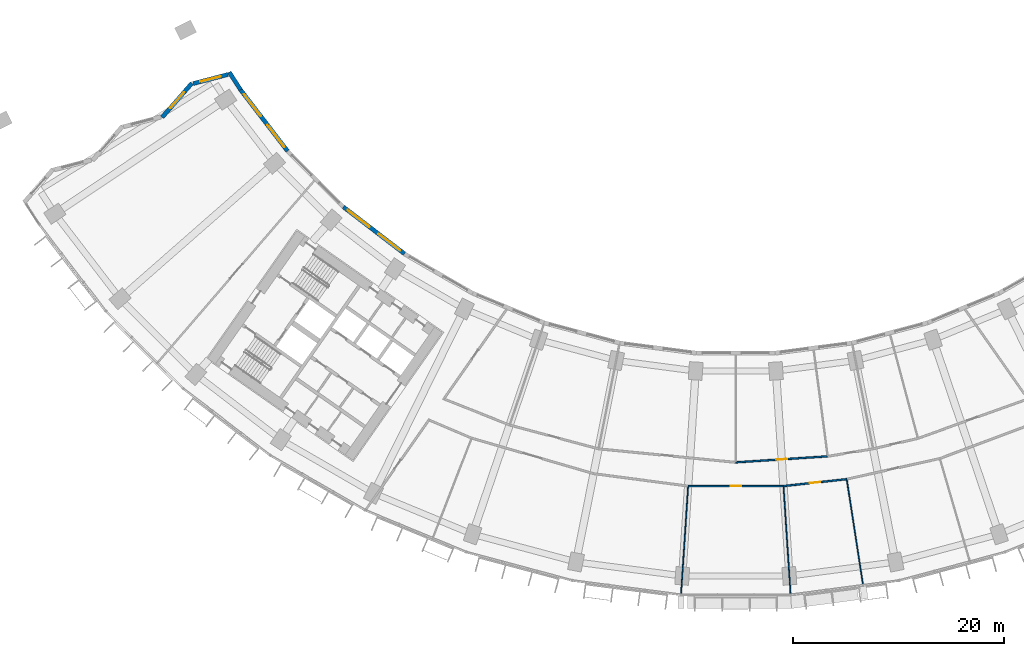
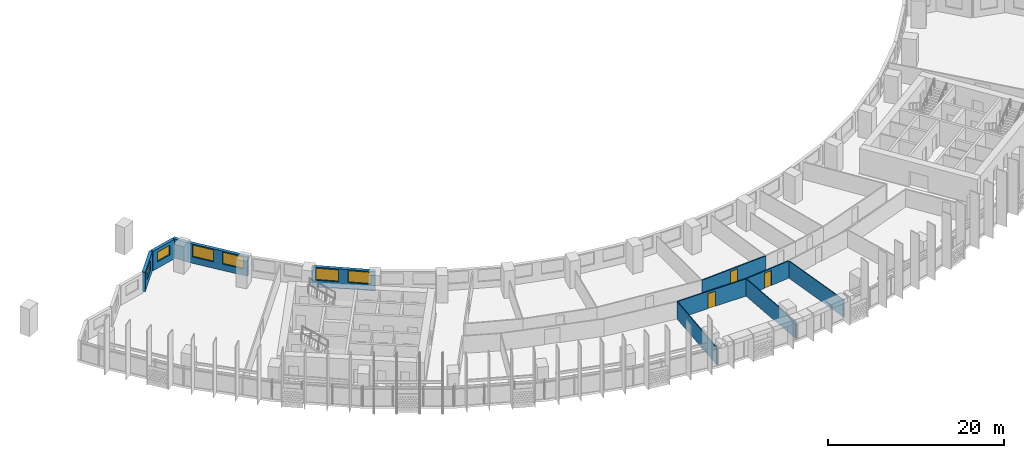
# One storey, part 5 of 32: 11 walls, 6 windows, 3 doors, 9 openings.
"""IFC4 building model written with IfcOpenShell, lengths in metres."""

from ifc_helpers import new_model, si_unit, direction, frame, frame_2d, origin, place, context, subcontext, project, spatial, rectangle, extrude, material, layer, layer_set, type_object, element, fill, save


model = new_model("IFC4")

# Units and contexts
model_context = context("Model", 3, precision=1e-05, world=origin(), true_north=direction((0.0, 1.0)))
body_context = subcontext(model_context, "Body", "Model", "MODEL_VIEW")
ifc_project = project(units=[si_unit("LENGTHUNIT", "METRE"), si_unit("AREAUNIT", "SQUARE_METRE"), si_unit("VOLUMEUNIT", "CUBIC_METRE"), si_unit("PLANEANGLEUNIT", "RADIAN"), si_unit("MASSUNIT", "GRAM", prefix="KILO")], contexts=[model_context])

# Site, building, storey
site_placement = place(None, origin())
site = spatial("IfcSite", under=ifc_project, at=site_placement, CompositionType="ELEMENT")
building_placement = place(site_placement, origin())
building = spatial("IfcBuilding", under=site, at=building_placement, Name="Qamariyya Broadcast Tower", CompositionType="ELEMENT")
storey_placement = place(building_placement, frame((0.0, 0.0, 63.300048828125)))
storey = spatial("IfcBuildingStorey", under=building, at=storey_placement, Name="L12", CompositionType="ELEMENT", Elevation=63.300048828125)

# Wall, opening, door
ifc_material_1 = material(Name="Gypsum board partition")
ifc_layer_1 = layer(ifc_material_1, 0.14990234375)
ifc_layer_set_1 = layer_set([ifc_layer_1], Name="Corridor partition 150 EI 60")
wall_type_1 = type_object("IfcWallType", Name="Corridor partition 150 EI 60", PredefinedType="PARTITIONING", material=ifc_layer_set_1)
wall_1_placement = place(storey_placement, frame((4.52587890625, -69.0517578125, 0.0), z_axis=(0.0, 0.0, 1.0), x_axis=(-1.0, 0.0, 0.0)))
wall_1 = element("IfcWall", 1, at=wall_1_placement, inside=storey, type_object=wall_type_1, Name="Partition L12-014", PredefinedType="PARTITIONING", context=body_context, shape_type="SweptSolid", body=[
    extrude(rectangle(XDim=9.0517578125, YDim=0.14990234375, at=frame_2d((4.52587890625, 0.0))), origin(), (0.0, 0.0, 1.0), 2.39990234375),
])
opening_1_placement = place(wall_1_placement, frame((4.02587890625, 0.0, 0.0)))
opening_1 = element("IfcOpeningElement", 2, at=opening_1_placement, cuts=wall_1, Name="Opening L12-D03", PredefinedType="OPENING", context=body_context, shape_type="SweptSolid", body=[
    extrude(rectangle(XDim=1.0, YDim=2.10009765625, at=frame_2d((0.5, 1.050048828125))), frame((0.0, 0.0849609375, 0.0), z_axis=(0.0, -1.0, 0.0), x_axis=(1.0, 0.0, 0.0)), (0.0, 0.0, 1.0), 0.169921875),
])
ifc_material_2 = material(Name="Timber fire door leaf", Category="wood")
door_type = type_object("IfcDoorType", Name="Fire door 1000 x 2100 FD60", OperationType="NOTDEFINED", PredefinedType="DOOR", material=ifc_material_2)
door_1_placement = place(opening_1_placement, origin())
door_1 = element("IfcDoor", 3, at=door_1_placement, inside=storey, type_object=door_type, Name="Door L12-D03", OperationType="SINGLE_SWING_RIGHT", OverallHeight=2.10009765625, OverallWidth=1.0, PredefinedType="DOOR", context=body_context, shape_type="SweptSolid", body=[
    extrude(rectangle(XDim=1.0, YDim=2.10009765625, at=frame_2d((0.5, 1.050048828125))), frame((0.0, 0.02490234375, 0.0), z_axis=(0.0, -1.0, 0.0), x_axis=(1.0, 0.0, 0.0)), (0.0, 0.0, 1.0), 0.050048828125),
])
fill(opening_1, door_1)

wall_2_placement = place(storey_placement, frame((0.0, -66.800048828125, 0.0), z_axis=(0.0, 0.0, 1.0), x_axis=(0.997858593599, 0.065408158359, 0.0)))
wall_2 = element("IfcWall", 4, at=wall_2_placement, inside=storey, type_object=wall_type_1, Name="Partition L12-015", PredefinedType="PARTITIONING", context=body_context, shape_type="SweptSolid", body=[
    extrude(rectangle(XDim=8.738037109375, YDim=0.14990234375, at=frame_2d((4.369140625, 0.0))), origin(), (0.0, 0.0, 1.0), 2.39990234375),
])
opening_2_placement = place(wall_2_placement, frame((3.868896484375, 0.0, 0.0)))
opening_2 = element("IfcOpeningElement", 5, at=opening_2_placement, cuts=wall_2, Name="Opening L12-D10", PredefinedType="OPENING", context=body_context, shape_type="SweptSolid", body=[
    extrude(rectangle(XDim=1.0, YDim=2.10009765625, at=frame_2d((0.5, 1.050048828125))), frame((0.0, 0.0849609375, 0.0), z_axis=(0.0, -1.0, 0.0), x_axis=(1.0, 0.0, 0.0)), (0.0, 0.0, 1.0), 0.169921875),
])
door_2_placement = place(opening_2_placement, origin())
door_2 = element("IfcDoor", 6, at=door_2_placement, inside=storey, type_object=door_type, Name="Door L12-D10", OperationType="SINGLE_SWING_RIGHT", OverallHeight=2.10009765625, OverallWidth=1.0, PredefinedType="DOOR", context=body_context, shape_type="SweptSolid", body=[
    extrude(rectangle(XDim=1.0, YDim=2.10009765625, at=frame_2d((0.5, 1.050048828125))), frame((0.0, 0.02490234375, 0.0), z_axis=(0.0, -1.0, 0.0), x_axis=(1.0, 0.0, 0.0)), (0.0, 0.0, 1.0), 0.050048828125),
])
fill(opening_2, door_2)

wall_3_placement = place(storey_placement, frame((10.52880859375, -68.394287109375, 0.0), z_axis=(0.0, 0.0, 1.0), x_axis=(-0.994055567966, -0.108873907782, 0.0)))
wall_3 = element("IfcWall", 7, at=wall_3_placement, inside=storey, type_object=wall_type_1, Name="Partition L12-017", PredefinedType="PARTITIONING", context=body_context, shape_type="SweptSolid", body=[
    extrude(rectangle(XDim=6.038818359375, YDim=0.14990234375, at=frame_2d((3.01953125, 0.0))), origin(), (0.0, 0.0, 1.0), 2.39990234375),
])
opening_3_placement = place(wall_3_placement, frame((2.51953125, 0.0, 0.0)))
opening_3 = element("IfcOpeningElement", 8, at=opening_3_placement, cuts=wall_3, Name="Opening L12-D04", PredefinedType="OPENING", context=body_context, shape_type="SweptSolid", body=[
    extrude(rectangle(XDim=1.0, YDim=2.10009765625, at=frame_2d((0.5, 1.050048828125))), frame((0.0, 0.0849609375, 0.0), z_axis=(0.0, -1.0, 0.0), x_axis=(1.0, 0.0, 0.0)), (0.0, 0.0, 1.0), 0.169921875),
])
door_3_placement = place(opening_3_placement, origin())
door_3 = element("IfcDoor", 9, at=door_3_placement, inside=storey, type_object=door_type, Name="Door L12-D04", OperationType="SINGLE_SWING_RIGHT", OverallHeight=2.10009765625, OverallWidth=1.0, PredefinedType="DOOR", context=body_context, shape_type="SweptSolid", body=[
    extrude(rectangle(XDim=1.0, YDim=2.10009765625, at=frame_2d((0.5, 1.050048828125))), frame((0.0, 0.02490234375, 0.0), z_axis=(0.0, -1.0, 0.0), x_axis=(1.0, 0.0, 0.0)), (0.0, 0.0, 1.0), 0.050048828125),
])
fill(opening_3, door_3)

# Walls
ifc_layer_2 = layer(ifc_material_1, 0.10009765625)
ifc_layer_set_2 = layer_set([ifc_layer_2], Name="Partition 100")
wall_type_2 = type_object("IfcWallType", Name="Partition 100", PredefinedType="PARTITIONING", material=ifc_layer_set_2)
for number, where, z_axis, x_axis, name in (
    (10, (-5.1962890625, -79.27978515625, 0.0), (0.0, 0.0, 1.0), (0.065408959123, 0.99785854111, 0.0), "Partition L12-013"),
    (11, (5.1962890625, -79.27978515625, 0.0), (0.0, 0.0, 1.0), (-0.065408959123, 0.99785854111, 0.0), "Partition L12-018"),
):
    element("IfcWall", number, at=place(storey_placement, frame(where, z_axis=z_axis, x_axis=x_axis)), inside=storey, type_object=wall_type_2, Name=name, PredefinedType="PARTITIONING", context=body_context, shape_type="SweptSolid", body=[
        extrude(rectangle(XDim=10.1748046875, YDim=0.10009765625, at=frame_2d((5.08740234375, 0.0))), origin(), (0.0, 0.0, 1.0), 2.39990234375),
    ])
wall_4_placement = place(storey_placement, frame((12.0654296875, -78.375244140625, 0.0), z_axis=(0.0, 0.0, 1.0), x_axis=(-0.152157849461, 0.988356205448, 0.0)))
element("IfcWall", 12, at=wall_4_placement, inside=storey, type_object=wall_type_2, Name="Partition L12-023", PredefinedType="PARTITIONING", context=body_context, shape_type="SweptSolid", body=[
    extrude(rectangle(XDim=10.0234375, YDim=0.10009765625, at=frame_2d((5.01171875, 0.0))), origin(), (0.0, 0.0, 1.0), 2.39990234375),
])

# Wall, opening, window
ifc_material_3 = material(Name="Terracotta", Category="masonry")
ifc_layer_3 = layer(ifc_material_3, 0.39990234375)
ifc_layer_set_3 = layer_set([ifc_layer_3], Name="Terracotta clad wall 400")
wall_type_3 = type_object("IfcWallType", Name="Terracotta clad wall 400", PredefinedType="SOLIDWALL", material=ifc_layer_set_3)
wall_5_placement = place(storey_placement, frame((-48.2265625, -29.979736328125, 0.0), z_axis=(0.0, 0.0, 1.0), x_axis=(-0.967845276355, -0.251546260232, 0.0)))
wall_5 = element("IfcWall", 13, at=wall_5_placement, inside=storey, type_object=wall_type_3, Name="e-wl-L12-capW0", PredefinedType="SOLIDWALL", context=body_context, shape_type="SweptSolid", body=[
    extrude(rectangle(XDim=3.39404296875, YDim=0.39990234375, at=frame_2d((1.697021484375, 0.0))), origin(), (0.0, 0.0, 1.0), 2.699951171875),
])
opening_4_placement = place(wall_5_placement, frame((0.697021484375, 0.0, 0.89990234375)))
opening_4 = element("IfcOpeningElement", 14, at=opening_4_placement, cuts=wall_5, Name="Opening W4", PredefinedType="OPENING", context=body_context, shape_type="SweptSolid", body=[
    extrude(rectangle(XDim=2.0, YDim=1.35009765625, at=frame_2d((1.0, 0.675048828125))), frame((0.0, 0.2099609375, 0.0), z_axis=(0.0, -1.0, 0.0), x_axis=(1.0, 0.0, 0.0)), (0.0, 0.0, 1.0), 0.419921875),
])
ifc_material_4 = material(Name="Clear low-e double glazed unit in aluminium frame", Category="aluminium")
window_type_1 = type_object("IfcWindowType", Name="Horn bay window 2000 x 1350", PartitioningType="SINGLE_PANEL", PredefinedType="WINDOW", material=ifc_material_4)
window_1_placement = place(opening_4_placement, origin())
window_1 = element("IfcWindow", 15, at=window_1_placement, inside=storey, type_object=window_type_1, Name="e-w-L12-capW0", OverallHeight=1.35009765625, OverallWidth=2.0, PartitioningType="SINGLE_PANEL", PredefinedType="WINDOW", context=body_context, shape_type="SweptSolid", body=[
    extrude(rectangle(XDim=2.0, YDim=1.35009765625, at=frame_2d((1.0, 0.675048828125))), frame((0.0, 0.030029296875, 0.0), z_axis=(0.0, -1.0, 0.0), x_axis=(1.0, 0.0, 0.0)), (0.0, 0.0, 1.0), 0.06005859375),
])
fill(opening_4, window_1)

wall_6_placement = place(storey_placement, frame((-51.635986328125, -30.8017578125, 0.0), z_axis=(0.0, 0.0, 1.0), x_axis=(-0.657240341437, -0.753681055611, 0.0)))
wall_6 = element("IfcWall", 16, at=wall_6_placement, inside=storey, type_object=wall_type_3, Name="e-wl-L12-capW1", PredefinedType="SOLIDWALL", context=body_context, shape_type="SweptSolid", body=[
    extrude(rectangle(XDim=4.2958984375, YDim=0.39990234375, at=frame_2d((2.14794921875, 0.0))), origin(), (0.0, 0.0, 1.0), 2.699951171875),
])
opening_5_placement = place(wall_6_placement, frame((1.14794921875, 0.0, 0.89990234375)))
opening_5 = element("IfcOpeningElement", 17, at=opening_5_placement, cuts=wall_6, Name="Opening W4", PredefinedType="OPENING", context=body_context, shape_type="SweptSolid", body=[
    extrude(rectangle(XDim=2.0, YDim=1.35009765625, at=frame_2d((1.0, 0.675048828125))), frame((0.0, 0.2099609375, 0.0), z_axis=(0.0, -1.0, 0.0), x_axis=(1.0, 0.0, 0.0)), (0.0, 0.0, 1.0), 0.419921875),
])
window_2_placement = place(opening_5_placement, origin())
window_2 = element("IfcWindow", 18, at=window_2_placement, inside=storey, type_object=window_type_1, Name="e-w-L12-capW1", OverallHeight=1.35009765625, OverallWidth=2.0, PartitioningType="SINGLE_PANEL", PredefinedType="WINDOW", context=body_context, shape_type="SweptSolid", body=[
    extrude(rectangle(XDim=2.0, YDim=1.35009765625, at=frame_2d((1.0, 0.675048828125))), frame((0.0, 0.030029296875, 0.0), z_axis=(0.0, -1.0, 0.0), x_axis=(1.0, 0.0, 0.0)), (0.0, 0.0, 1.0), 0.06005859375),
])
fill(opening_5, window_2)

# Wall
wall_7_placement = place(storey_placement, frame((-47.0087890625, -31.43408203125, 0.0), z_axis=(0.0, 0.0, 1.0), x_axis=(-0.541351447765, 0.840796414123, 0.0)))
element("IfcWall", 19, at=wall_7_placement, inside=storey, type_object=wall_type_3, Name="e-wl-L12-in00", PredefinedType="SOLIDWALL", context=body_context, shape_type="SweptSolid", body=[
    extrude(rectangle(XDim=1.994140625, YDim=0.39990234375, at=frame_2d((0.9970703125, 0.0))), origin(), (0.0, 0.0, 1.0), 2.699951171875),
])

# Wall, openings, windows
wall_8_placement = place(storey_placement, frame((-42.5478515625, -37.24609375, 0.0), z_axis=(0.0, 0.0, 1.0), x_axis=(-0.608764527442, 0.79335096277, 0.0)))
wall_8 = element("IfcWall", 20, at=wall_8_placement, inside=storey, type_object=wall_type_3, Name="e-wl-L12-in10", PredefinedType="SOLIDWALL", context=body_context, shape_type="SweptSolid", body=[
    extrude(rectangle(XDim=7.310302734375, YDim=0.39990234375, at=frame_2d((3.6552734375, 0.0))), origin(), (0.0, 0.0, 1.0), 2.699951171875),
])
opening_6_placement = place(wall_8_placement, frame((4.190673828125, 0.0, 0.89990234375)))
opening_6 = element("IfcOpeningElement", 21, at=opening_6_placement, cuts=wall_8, Name="Opening W1", PredefinedType="OPENING", context=body_context, shape_type="SweptSolid", body=[
    extrude(rectangle(XDim=2.60009765625, YDim=1.64990234375, at=frame_2d((1.300048828125, 0.824951171875))), frame((0.0, 0.2099609375, 0.0), z_axis=(0.0, -1.0, 0.0), x_axis=(1.0, 0.0, 0.0)), (0.0, 0.0, 1.0), 0.419921875),
])
opening_7_placement = place(wall_8_placement, frame((0.505126953125, 0.0, 0.89990234375)))
opening_7 = element("IfcOpeningElement", 22, at=opening_7_placement, cuts=wall_8, Name="Opening W1", PredefinedType="OPENING", context=body_context, shape_type="SweptSolid", body=[
    extrude(rectangle(XDim=2.60009765625, YDim=1.64990234375, at=frame_2d((1.300048828125, 0.824951171875))), frame((0.0, 0.2099609375, 0.0), z_axis=(0.0, -1.0, 0.0), x_axis=(1.0, 0.0, 0.0)), (0.0, 0.0, 1.0), 0.419921875),
])
window_type_2 = type_object("IfcWindowType", Name="Ribbon window 2600 x 1650", PartitioningType="SINGLE_PANEL", PredefinedType="WINDOW", material=ifc_material_4)
window_3_placement = place(opening_6_placement, origin())
window_3 = element("IfcWindow", 23, at=window_3_placement, inside=storey, type_object=window_type_2, Name="e-w-L12-in01-0", OverallHeight=1.64990234375, OverallWidth=2.60009765625, PartitioningType="SINGLE_PANEL", PredefinedType="WINDOW", context=body_context, shape_type="SweptSolid", body=[
    extrude(rectangle(XDim=2.60009765625, YDim=1.64990234375, at=frame_2d((1.300048828125, 0.824951171875))), frame((0.0, 0.030029296875, 0.0), z_axis=(0.0, -1.0, 0.0), x_axis=(1.0, 0.0, 0.0)), (0.0, 0.0, 1.0), 0.06005859375),
])
fill(opening_6, window_3)
window_4_placement = place(opening_7_placement, origin())
window_4 = element("IfcWindow", 24, at=window_4_placement, inside=storey, type_object=window_type_2, Name="e-w-L12-in01-1", OverallHeight=1.64990234375, OverallWidth=2.60009765625, PartitioningType="SINGLE_PANEL", PredefinedType="WINDOW", context=body_context, shape_type="SweptSolid", body=[
    extrude(rectangle(XDim=2.60009765625, YDim=1.64990234375, at=frame_2d((1.300048828125, 0.824951171875))), frame((0.0, 0.030029296875, 0.0), z_axis=(0.0, -1.0, 0.0), x_axis=(1.0, 0.0, 0.0)), (0.0, 0.0, 1.0), 0.06005859375),
])
fill(opening_7, window_4)

wall_9_placement = place(storey_placement, frame((-31.4580078125, -46.989013671875, 0.0), z_axis=(0.0, 0.0, 1.0), x_axis=(-0.79336607943, 0.60874482668, 0.0)))
wall_9 = element("IfcWall", 25, at=wall_9_placement, inside=storey, type_object=wall_type_3, Name="e-wl-L12-in30", PredefinedType="SOLIDWALL", context=body_context, shape_type="SweptSolid", body=[
    extrude(rectangle(XDim=7.295654296875, YDim=0.39990234375, at=frame_2d((3.64794921875, 0.0))), origin(), (0.0, 0.0, 1.0), 2.699951171875),
])
opening_8_placement = place(wall_9_placement, frame((4.190673828125, 0.0, 0.89990234375)))
opening_8 = element("IfcOpeningElement", 26, at=opening_8_placement, cuts=wall_9, Name="Opening W1", PredefinedType="OPENING", context=body_context, shape_type="SweptSolid", body=[
    extrude(rectangle(XDim=2.60009765625, YDim=1.64990234375, at=frame_2d((1.300048828125, 0.824951171875))), frame((0.0, 0.2099609375, 0.0), z_axis=(0.0, -1.0, 0.0), x_axis=(1.0, 0.0, 0.0)), (0.0, 0.0, 1.0), 0.419921875),
])
opening_9_placement = place(wall_9_placement, frame((0.505126953125, 0.0, 0.89990234375)))
opening_9 = element("IfcOpeningElement", 27, at=opening_9_placement, cuts=wall_9, Name="Opening W1", PredefinedType="OPENING", context=body_context, shape_type="SweptSolid", body=[
    extrude(rectangle(XDim=2.60009765625, YDim=1.64990234375, at=frame_2d((1.300048828125, 0.824951171875))), frame((0.0, 0.2099609375, 0.0), z_axis=(0.0, -1.0, 0.0), x_axis=(1.0, 0.0, 0.0)), (0.0, 0.0, 1.0), 0.419921875),
])
window_5_placement = place(opening_8_placement, origin())
window_5 = element("IfcWindow", 28, at=window_5_placement, inside=storey, type_object=window_type_2, Name="e-w-L12-in03-0", OverallHeight=1.64990234375, OverallWidth=2.60009765625, PartitioningType="SINGLE_PANEL", PredefinedType="WINDOW", context=body_context, shape_type="SweptSolid", body=[
    extrude(rectangle(XDim=2.60009765625, YDim=1.64990234375, at=frame_2d((1.300048828125, 0.824951171875))), frame((0.0, 0.030029296875, 0.0), z_axis=(0.0, -1.0, 0.0), x_axis=(1.0, 0.0, 0.0)), (0.0, 0.0, 1.0), 0.06005859375),
])
fill(opening_8, window_5)
window_6_placement = place(opening_9_placement, origin())
window_6 = element("IfcWindow", 29, at=window_6_placement, inside=storey, type_object=window_type_2, Name="e-w-L12-in03-1", OverallHeight=1.64990234375, OverallWidth=2.60009765625, PartitioningType="SINGLE_PANEL", PredefinedType="WINDOW", context=body_context, shape_type="SweptSolid", body=[
    extrude(rectangle(XDim=2.60009765625, YDim=1.64990234375, at=frame_2d((1.300048828125, 0.824951171875))), frame((0.0, 0.030029296875, 0.0), z_axis=(0.0, -1.0, 0.0), x_axis=(1.0, 0.0, 0.0)), (0.0, 0.0, 1.0), 0.06005859375),
])
fill(opening_9, window_6)

save(model, "model.ifc")
